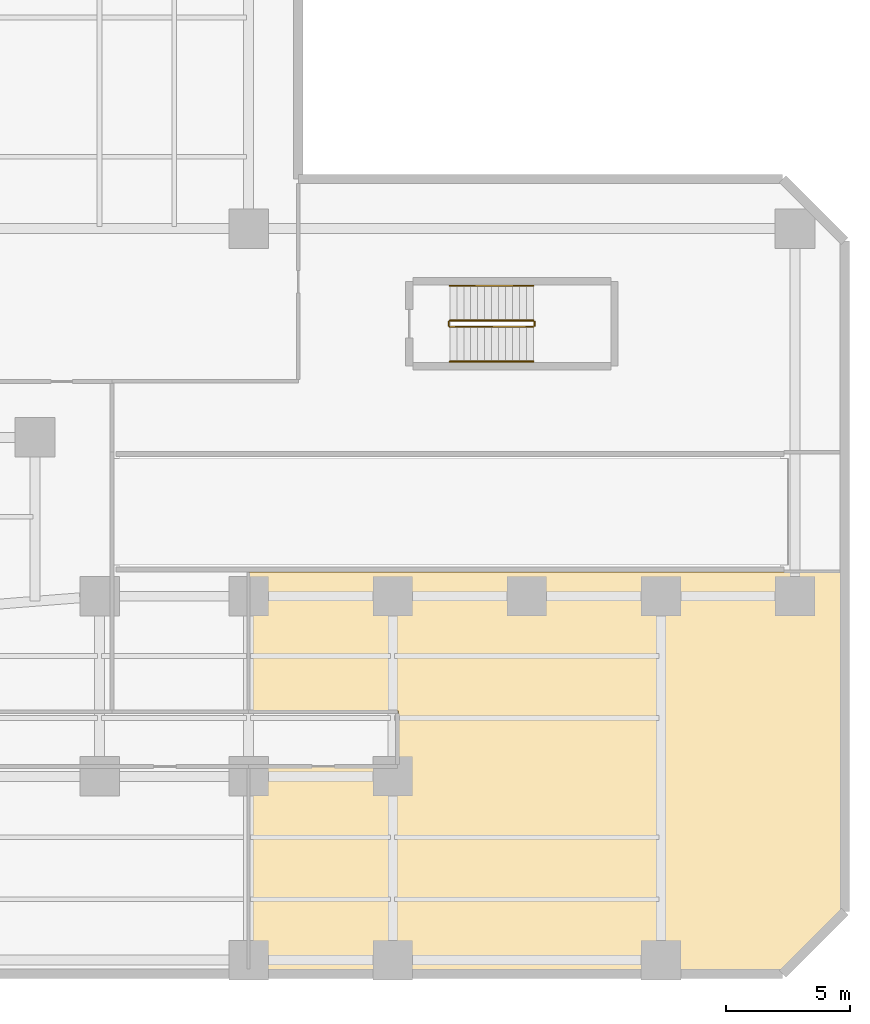
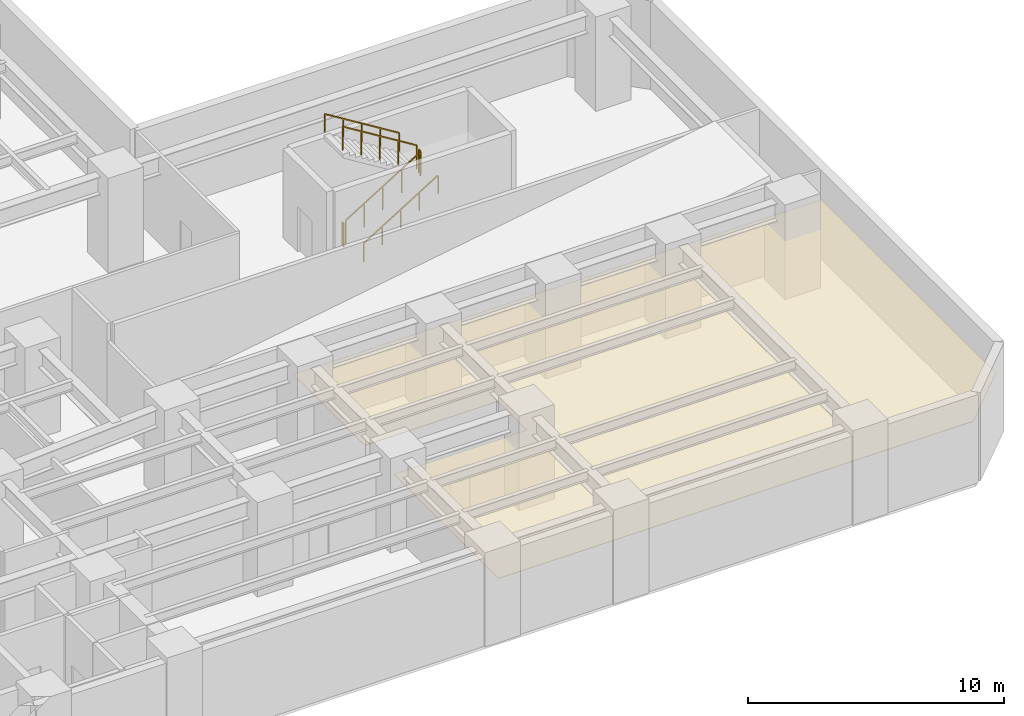
# One storey, part 6 of 7: 6 railings, 1 covering.
"""IFC4 building model written with IfcOpenShell, lengths in metres."""

import ifcopenshell
import ifcopenshell.guid

model = None  # the IFC model being written
_history = None  # IfcOwnerHistory: only IFC2X3 demands one
_inside = {}  # id of a spatial element -> (the spatial element, [elements in it])
_under = {}  # id of a project, library or spatial element -> (it, [spatial elements below it])
_declared = {}  # id of a project -> (the project, [libraries it declares])
_typed = {}  # id of a type object -> (the type object, [elements of that type])
_made_of = {}  # id of a material, layer set ... -> (it, [elements and type objects made of it])


def new_model(schema):
    """Start an empty IFC model of exactly this schema.

    Asked for "IFC4X3", IfcOpenShell would pick the latest addendum, in which some entities
    have other attributes; the version numbers below select the first issue.
    IFC2X3 requires an IfcOwnerHistory on every rooted entity: one is made here for all.
    """
    global model, _history
    if schema == "IFC4X3":
        model = ifcopenshell.file(schema_version=(4, 3, 0, 0))
    else:
        model = ifcopenshell.file(schema=schema)
    _inside.clear()
    _under.clear()
    _declared.clear()
    _typed.clear()
    _made_of.clear()
    _history = None
    if model.schema == "IFC2X3":
        org = make("IfcOrganization", Name="unknown")
        user = make(
            "IfcPersonAndOrganization",
            ThePerson=make("IfcPerson", FamilyName="unknown"),
            TheOrganization=org,
        )
        app = make(
            "IfcApplication",
            ApplicationDeveloper=org,
            Version="unknown",
            ApplicationFullName="unknown",
            ApplicationIdentifier="unknown",
        )
        _history = make(
            "IfcOwnerHistory",
            OwningUser=user,
            OwningApplication=app,
            ChangeAction="ADDED",
            CreationDate=0,
        )
    return model


def make(cls, **values):
    """One entity of the class cls with the attributes given. An attribute that is None is left unset."""
    return model.create_entity(
        cls, **{name: value for name, value in values.items() if value is not None}
    )


def rooted(cls, **values):
    """An entity with a GlobalId (a new one), such as an element, a storey or a relation."""
    return make(cls, GlobalId=ifcopenshell.guid.new(), OwnerHistory=_history, **values)


def si_unit(unit_type, name, prefix=None):
    """IfcSIUnit, for example si_unit("LENGTHUNIT", "METRE", prefix="MILLI")."""
    return make("IfcSIUnit", UnitType=unit_type, Prefix=prefix, Name=name)


def assignment(units):
    """IfcUnitAssignment: the units of a project."""
    return None if units is None else make("IfcUnitAssignment", Units=units)


def point(xyz):
    """IfcCartesianPoint."""
    return None if xyz is None else make("IfcCartesianPoint", Coordinates=xyz)


def direction(xyz):
    """IfcDirection."""
    return None if xyz is None else make("IfcDirection", DirectionRatios=xyz)


def frame(location, z_axis=None, x_axis=None):
    """IfcAxis2Placement3D, a coordinate frame: its origin and axes. An axis left out is left unset."""
    return make(
        "IfcAxis2Placement3D",
        Location=point(location),
        Axis=direction(z_axis),
        RefDirection=direction(x_axis),
    )


def frame_2d(location, x_axis=None):
    """IfcAxis2Placement2D, a coordinate frame in the plane: its origin and x axis."""
    return make(
        "IfcAxis2Placement2D", Location=point(location), RefDirection=direction(x_axis)
    )


def origin():
    """The frame at (0, 0, 0) with its axes left unset."""
    return frame((0.0, 0.0, 0.0))


def origin_2d():
    """The frame at (0, 0) in the plane with its x axis left unset."""
    return frame_2d((0.0, 0.0))


def place(relative_to, where):
    """IfcLocalPlacement: puts the frame where relative to a parent placement (None: the world)."""
    return make(
        "IfcLocalPlacement", PlacementRelTo=relative_to, RelativePlacement=where
    )


def context(
    kind, dimensions, precision=None, world=None, true_north=None, identifier=None
):
    """IfcGeometricRepresentationContext, for example the 3D "Model" context."""
    return make(
        "IfcGeometricRepresentationContext",
        ContextIdentifier=identifier,
        ContextType=kind,
        CoordinateSpaceDimension=dimensions,
        Precision=precision,
        WorldCoordinateSystem=world,
        TrueNorth=true_north,
    )


def subcontext(parent, identifier, kind, view, scale=None):
    """IfcGeometricRepresentationSubContext, for example "Body" below "Model"."""
    return make(
        "IfcGeometricRepresentationSubContext",
        ContextIdentifier=identifier,
        ContextType=kind,
        ParentContext=parent,
        TargetScale=scale,
        TargetView=view,
    )


def project(units=None, contexts=None):
    """IfcProject with its units and contexts."""
    return rooted(
        "IfcProject",
        Name="project",
        RepresentationContexts=contexts,
        UnitsInContext=assignment(units),
    )


def spatial(cls, under=None, at=None, **own):
    """A site, building, storey or space (cls), placed at a placement, below another one or the project."""
    s = rooted(cls, ObjectPlacement=at, **own)
    if under is not None:
        _under.setdefault(under.id(), (under, []))[1].append(s)
    return s


def polyline(points):
    """IfcPolyline through the points."""
    return make("IfcPolyline", Points=[point(p) for p in points])


def profile(cls, at=None, kind="AREA", **sizes):
    """A parametric profile (cls). Its sizes go by their IFC names, for example OverallWidth=200.0."""
    return make(cls, ProfileType=kind, Position=at, **sizes)


def rectangle(**sizes):
    """IfcRectangleProfileDef."""
    return profile("IfcRectangleProfileDef", **sizes)


def outline(outer, holes=None, kind="AREA"):
    """IfcArbitraryClosedProfileDef: a profile drawn as a closed curve; with holes, ...WithVoids."""
    if holes is None:
        return make("IfcArbitraryClosedProfileDef", ProfileType=kind, OuterCurve=outer)
    return make(
        "IfcArbitraryProfileDefWithVoids",
        ProfileType=kind,
        OuterCurve=outer,
        InnerCurves=holes,
    )


def extrude(swept, where, along, depth):
    """IfcExtrudedAreaSolid: the profile swept, set in the frame where, extruded along a direction by depth."""
    return make(
        "IfcExtrudedAreaSolid",
        SweptArea=swept,
        Position=where,
        ExtrudedDirection=direction(along),
        Depth=depth,
    )


def shape(context_of_items, identifier, shape_type, items):
    """IfcShapeRepresentation: the items that make up one representation, for example the "Body"."""
    return make(
        "IfcShapeRepresentation",
        ContextOfItems=context_of_items,
        RepresentationIdentifier=identifier,
        RepresentationType=shape_type,
        Items=items,
    )


def material(Name=None, Category=None):
    """IfcMaterial."""
    return make("IfcMaterial", Name=Name, Category=Category)


def layer(
    of_material, thickness, ventilated=None, Name=None, Category=None, Priority=None
):
    """IfcMaterialLayer: one layer of a wall or slab, of a material (None: an air gap)."""
    return make(
        "IfcMaterialLayer",
        Material=of_material,
        LayerThickness=thickness,
        IsVentilated=ventilated,
        Name=Name,
        Category=Category,
        Priority=Priority,
    )


def layer_set(layers, Name=None):
    """IfcMaterialLayerSet."""
    return make("IfcMaterialLayerSet", MaterialLayers=layers, LayerSetName=Name)


def made_of(thing, what):
    """Note that an element or type object is made of a material, layer set ...; save() writes the relation."""
    if what is not None:
        _made_of.setdefault(what.id(), (what, []))[1].append(thing)
    return thing


def type_object(cls, material=None, **own):
    """A type object (cls), such as IfcWallType, which elements share."""
    return made_of(rooted(cls, **own), material)


def element(
    cls,
    number,
    at=None,
    inside=None,
    cuts=None,
    type_object=None,
    material=None,
    context=None,
    identifier="Body",
    shape_type=None,
    held_by="IfcProductDefinitionShape",
    body=None,
    shapes=None,
    **own,
):
    """One element of the class cls, such as IfcWall. Its Tag is "e" and its number.

    at: its placement. inside: the storey or other place that contains it. cuts: it is an
    opening in that element (IfcRelVoidsElement). A single representation is given by context,
    identifier, shape_type and body (its items); several are given by shapes. held_by: the class
    of the entity that holds the representations. save() writes the other relations.
    """
    e = rooted(cls, Tag="e%d" % number, ObjectPlacement=at, **own)
    if body is not None:
        shapes = [shape(context, identifier, shape_type, body)]
    if shapes is not None:
        e.Representation = make(held_by, Representations=shapes)
    if inside is not None:
        _inside.setdefault(inside.id(), (inside, []))[1].append(e)
    if cuts is not None:
        rooted(
            "IfcRelVoidsElement", RelatingBuildingElement=cuts, RelatedOpeningElement=e
        )
    if type_object is not None:
        _typed.setdefault(type_object.id(), (type_object, []))[1].append(e)
    return made_of(e, material)


def aggregate(whole, parts):
    """IfcRelAggregates: a whole, such as a stair, and the parts it consists of."""
    return rooted("IfcRelAggregates", RelatingObject=whole, RelatedObjects=parts)


def save(model, path):
    """Write the relations noted so far, then the file.

    IfcRelAggregates (storeys below a building ...), IfcRelContainedInSpatialStructure (elements
    in a storey), IfcRelDefinesByType, IfcRelAssociatesMaterial and IfcRelDeclares: one each for
    every whole, place, type object, material and project.
    """
    for whole, parts in _under.values():
        aggregate(whole, parts)
    for where, things in _inside.values():
        rooted(
            "IfcRelContainedInSpatialStructure",
            RelatedElements=things,
            RelatingStructure=where,
        )
    for kind, things in _typed.values():
        rooted("IfcRelDefinesByType", RelatedObjects=things, RelatingType=kind)
    for what, things in _made_of.values():
        rooted("IfcRelAssociatesMaterial", RelatedObjects=things, RelatingMaterial=what)
    for by, libraries in _declared.values():
        rooted("IfcRelDeclares", RelatingContext=by, RelatedDefinitions=libraries)
    model.write(path)


model = new_model("IFC4")

# Units and contexts
model_context = context("Model", 3, precision=1e-05, world=origin(), true_north=direction((0.0, 1.0)))
body_context = subcontext(model_context, "Body", "Model", "MODEL_VIEW")
ifc_project = project(units=[si_unit("LENGTHUNIT", "METRE"), si_unit("AREAUNIT", "SQUARE_METRE"), si_unit("VOLUMEUNIT", "CUBIC_METRE"), si_unit("PLANEANGLEUNIT", "RADIAN"), si_unit("MASSUNIT", "GRAM", prefix="KILO")], contexts=[model_context])

# Site, building, storey
site_placement = place(None, origin())
site = spatial("IfcSite", under=ifc_project, at=site_placement, CompositionType="ELEMENT")
building_placement = place(site_placement, origin())
building = spatial("IfcBuilding", under=site, at=building_placement, Name="Mawjaban Terraces University", CompositionType="ELEMENT")
storey_placement = place(building_placement, frame((0.0, 0.0, -4.5)))
storey = spatial("IfcBuildingStorey", under=building, at=storey_placement, Name="B1", CompositionType="ELEMENT", Elevation=-4.5)

# Covering
ifc_material_1 = material(Name="Acoustic mineral fibre ceiling tile", Category="masonry")
ifc_layer = layer(ifc_material_1, 0.02001953125)
ifc_layer_set = layer_set([ifc_layer], Name="Acoustic mineral fibre ceiling tile")
covering_type = type_object("IfcCoveringType", Name="AcousticMineralCeiling_20", PredefinedType="CEILING", material=ifc_layer_set)
covering_placement = place(storey_placement, frame((0.0, 0.0, 2.75)))
element("IfcCovering", 1, at=covering_placement, inside=storey, type_object=covering_type, Name="B1 Campus Delivery Loading Bay Acoustic Ceiling", PredefinedType="CEILING", context=body_context, shape_type="SweptSolid", body=[
    extrude(outline(polyline([(52.030029296875, 16.169921875), (52.030029296875, 10.580078125), (58.030029296875, 10.580078125), (58.030029296875, 8.320068359375), (52.030029296875, 8.320068359375), (52.030029296875, 0.114990234375), (73.452880859375, 0.114990234375), (75.885009765625, 2.547119140625), (75.885009765625, 16.169921875), (52.030029296875, 16.169921875)])), origin(), (0.0, 0.0, 1.0), 0.02001953125),
])

# Railings
ifc_material_2 = material(Name="Brushed stainless steel 316", Category="steel")
railing_type_1 = type_object("IfcRailingType", Name="StairWallHandrail_900", PredefinedType="HANDRAIL", material=ifc_material_2)
railing_1_placement = place(storey_placement, frame((60.10009765625, 24.64990234375, 0.173095703125)))
element("IfcRailing", 2, at=railing_1_placement, inside=storey, type_object=railing_type_1, Name="B1 ST-5 stair handrail 1", PredefinedType="HANDRAIL", context=body_context, shape_type="SweptSolid", body=[
    extrude(rectangle(XDim=0.048095703125, YDim=0.048095703125, at=origin_2d()), frame((0.0, 0.0, 0.8759765625), z_axis=(0.850606129759, 0.0, 0.525803396734), x_axis=(0.0, 1.0, 0.0)), (0.0, 0.0, 1.0), 3.949951171875),
    extrude(rectangle(XDim=0.0419921875, YDim=0.0419921875, at=origin_2d()), origin(), (0.0, 0.0, 1.0), 0.851806640625),
    extrude(rectangle(XDim=0.0419921875, YDim=0.0419921875, at=origin_2d()), frame((0.83984375, 0.0, 0.519287109375)), (0.0, 0.0, 1.0), 0.851806640625),
    extrude(rectangle(XDim=0.0419921875, YDim=0.0419921875, at=origin_2d()), frame((1.679931640625, 0.0, 1.03857421875)), (0.0, 0.0, 1.0), 0.851806640625),
    extrude(rectangle(XDim=0.0419921875, YDim=0.0419921875, at=origin_2d()), frame((2.52001953125, 0.0, 1.5576171875)), (0.0, 0.0, 1.0), 0.851806640625),
    extrude(rectangle(XDim=0.0419921875, YDim=0.0419921875, at=origin_2d()), frame((3.35986328125, 0.0, 2.076904296875)), (0.0, 0.0, 1.0), 0.851806640625),
])
railing_2_placement = place(storey_placement, frame((63.4599609375, 27.699951171875, 2.423095703125)))
element("IfcRailing", 3, at=railing_2_placement, inside=storey, type_object=railing_type_1, Name="B1 ST-5 stair handrail 2", PredefinedType="HANDRAIL", context=body_context, shape_type="SweptSolid", body=[
    extrude(rectangle(XDim=0.048095703125, YDim=0.048095703125, at=origin_2d()), frame((0.0, 0.0, 0.8759765625), z_axis=(-0.850606129759, 0.0, 0.525803396734), x_axis=(0.0, -1.0, 0.0)), (0.0, 0.0, 1.0), 3.949951171875),
    extrude(rectangle(XDim=0.0419921875, YDim=0.0419921875, at=origin_2d()), origin(), (0.0, 0.0, 1.0), 0.851806640625),
    extrude(rectangle(XDim=0.0419921875, YDim=0.0419921875, at=origin_2d()), frame((-0.83984375, 0.0, 0.519287109375)), (0.0, 0.0, 1.0), 0.851806640625),
    extrude(rectangle(XDim=0.0419921875, YDim=0.0419921875, at=origin_2d()), frame((-1.679931640625, 0.0, 1.03857421875)), (0.0, 0.0, 1.0), 0.851806640625),
    extrude(rectangle(XDim=0.0419921875, YDim=0.0419921875, at=origin_2d()), frame((-2.52001953125, 0.0, 1.5576171875)), (0.0, 0.0, 1.0), 0.851806640625),
    extrude(rectangle(XDim=0.0419921875, YDim=0.0419921875, at=origin_2d()), frame((-3.35986328125, 0.0, 2.076904296875)), (0.0, 0.0, 1.0), 0.851806640625),
])
ifc_material_3 = material(Name="Galvanised painted steel S355", Category="steel")
railing_type_2 = type_object("IfcRailingType", Name="StairWellGuard_1150", PredefinedType="BALUSTRADE", material=ifc_material_3)
railing_3_placement = place(storey_placement, frame((60.10009765625, 26.050048828125, 0.173095703125)))
element("IfcRailing", 4, at=railing_3_placement, inside=storey, type_object=railing_type_2, Name="B1 ST-5 stair guard 1", PredefinedType="BALUSTRADE", context=body_context, shape_type="SweptSolid", body=[
    extrude(rectangle(XDim=0.048095703125, YDim=0.048095703125, at=origin_2d()), frame((0.0, 0.0, 1.1259765625), z_axis=(0.850606129759, 0.0, 0.525803396734), x_axis=(0.0, 1.0, 0.0)), (0.0, 0.0, 1.0), 3.949951171875),
    extrude(rectangle(XDim=0.0419921875, YDim=0.0419921875, at=origin_2d()), origin(), (0.0, 0.0, 1.0), 1.101806640625),
    extrude(rectangle(XDim=0.0419921875, YDim=0.0419921875, at=origin_2d()), frame((0.83984375, 0.0, 0.519287109375)), (0.0, 0.0, 1.0), 1.101806640625),
    extrude(rectangle(XDim=0.0419921875, YDim=0.0419921875, at=origin_2d()), frame((1.679931640625, 0.0, 1.03857421875)), (0.0, 0.0, 1.0), 1.101806640625),
    extrude(rectangle(XDim=0.0419921875, YDim=0.0419921875, at=origin_2d()), frame((2.52001953125, 0.0, 1.5576171875)), (0.0, 0.0, 1.0), 1.101806640625),
    extrude(rectangle(XDim=0.0419921875, YDim=0.0419921875, at=origin_2d()), frame((3.35986328125, 0.0, 2.076904296875)), (0.0, 0.0, 1.0), 1.101806640625),
])
railing_4_placement = place(storey_placement, frame((63.510009765625, 26.10009765625, 2.25)))
element("IfcRailing", 5, at=railing_4_placement, inside=storey, type_object=railing_type_2, Name="B1 ST-5 stair guard 2", PredefinedType="BALUSTRADE", context=body_context, shape_type="SweptSolid", body=[
    extrude(rectangle(XDim=0.048095703125, YDim=0.048095703125, at=origin_2d()), frame((0.0, 0.0, 1.1259765625), z_axis=(0.0, 1.0, 0.0), x_axis=(-1.0, 0.0, 0.0)), (0.0, 0.0, 1.0), 0.14990234375),
    extrude(rectangle(XDim=0.0419921875, YDim=0.0419921875, at=origin_2d()), origin(), (0.0, 0.0, 1.0), 1.101806640625),
    extrude(rectangle(XDim=0.0419921875, YDim=0.0419921875, at=origin_2d()), frame((0.0, 0.14990234375, 0.0)), (0.0, 0.0, 1.0), 1.101806640625),
])
railing_5_placement = place(storey_placement, frame((63.4599609375, 26.300048828125, 2.423095703125)))
element("IfcRailing", 6, at=railing_5_placement, inside=storey, type_object=railing_type_2, Name="B1 ST-5 stair guard 3", PredefinedType="BALUSTRADE", context=body_context, shape_type="SweptSolid", body=[
    extrude(rectangle(XDim=0.048095703125, YDim=0.048095703125, at=origin_2d()), frame((0.0, 0.0, 1.1259765625), z_axis=(-0.850606129759, 0.0, 0.525803396734), x_axis=(0.0, -1.0, 0.0)), (0.0, 0.0, 1.0), 3.949951171875),
    extrude(rectangle(XDim=0.0419921875, YDim=0.0419921875, at=origin_2d()), origin(), (0.0, 0.0, 1.0), 1.101806640625),
    extrude(rectangle(XDim=0.0419921875, YDim=0.0419921875, at=origin_2d()), frame((-0.83984375, 0.0, 0.519287109375)), (0.0, 0.0, 1.0), 1.101806640625),
    extrude(rectangle(XDim=0.0419921875, YDim=0.0419921875, at=origin_2d()), frame((-1.679931640625, 0.0, 1.03857421875)), (0.0, 0.0, 1.0), 1.101806640625),
    extrude(rectangle(XDim=0.0419921875, YDim=0.0419921875, at=origin_2d()), frame((-2.52001953125, 0.0, 1.5576171875)), (0.0, 0.0, 1.0), 1.101806640625),
    extrude(rectangle(XDim=0.0419921875, YDim=0.0419921875, at=origin_2d()), frame((-3.35986328125, 0.0, 2.076904296875)), (0.0, 0.0, 1.0), 1.101806640625),
])
railing_6_placement = place(storey_placement, frame((60.050048828125, 26.10009765625, 0.0)))
element("IfcRailing", 7, at=railing_6_placement, inside=storey, type_object=railing_type_2, Name="B1 ST-5 stair guard 4", PredefinedType="BALUSTRADE", context=body_context, shape_type="SweptSolid", body=[
    extrude(rectangle(XDim=0.048095703125, YDim=0.048095703125, at=origin_2d()), frame((0.0, 0.0, 1.1259765625), z_axis=(0.0, 1.0, 0.0), x_axis=(-1.0, 0.0, 0.0)), (0.0, 0.0, 1.0), 0.14990234375),
    extrude(rectangle(XDim=0.0419921875, YDim=0.0419921875, at=origin_2d()), origin(), (0.0, 0.0, 1.0), 1.101806640625),
    extrude(rectangle(XDim=0.0419921875, YDim=0.0419921875, at=origin_2d()), frame((0.0, 0.14990234375, 0.0)), (0.0, 0.0, 1.0), 1.101806640625),
])

save(model, "model.ifc")
